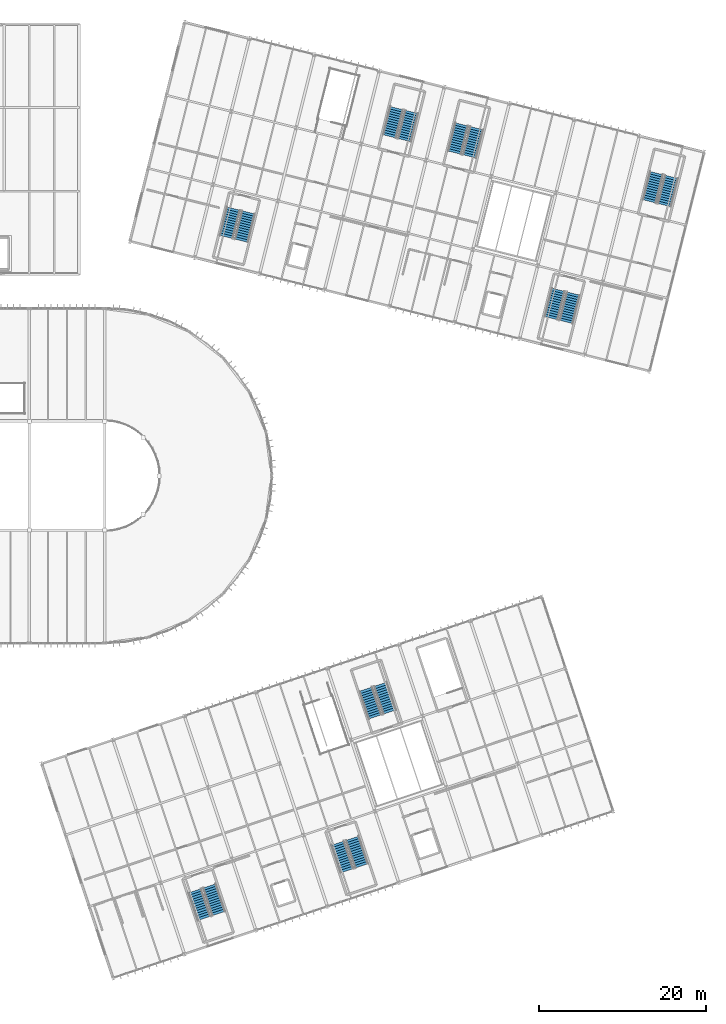
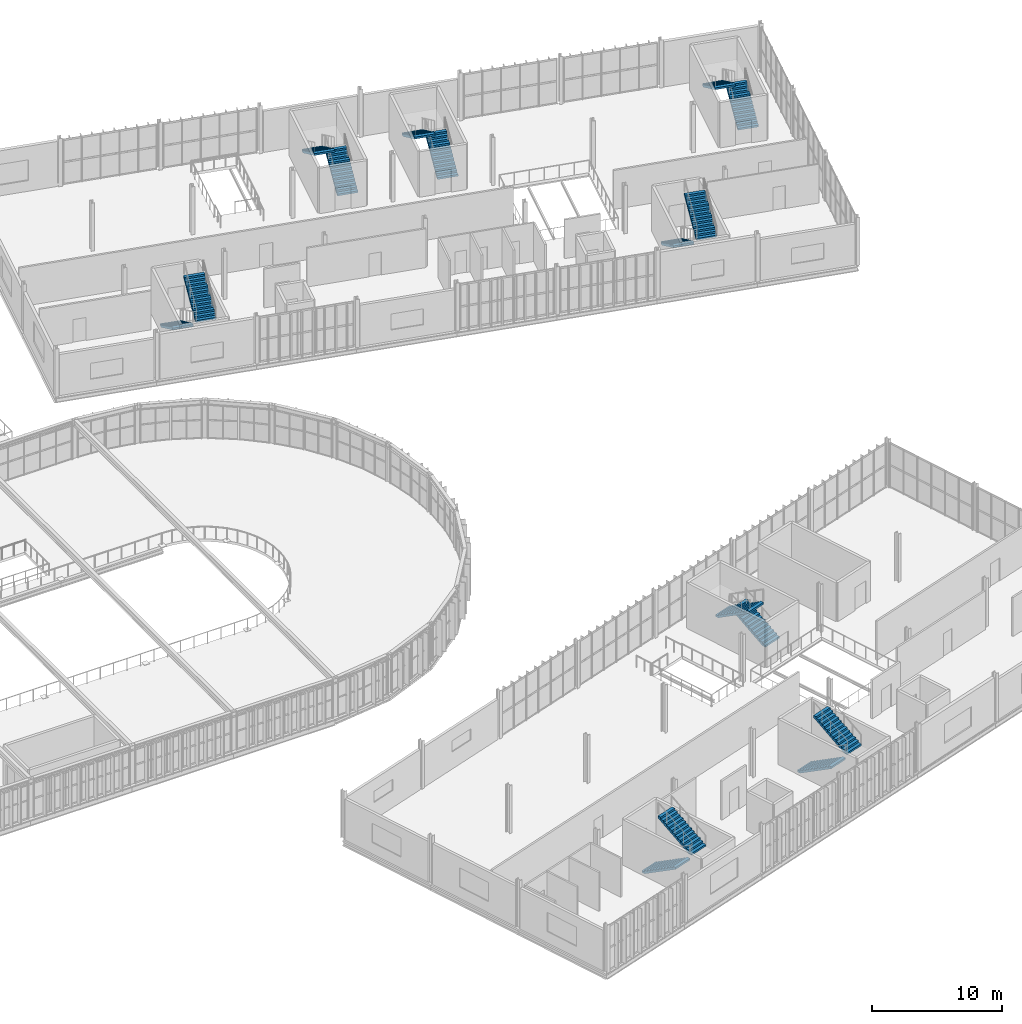
# One storey, part 126 of 152: 16 stair flights, 8 elements without a shape of their own.
"""IFC4 building model written with IfcOpenShell, lengths in metres."""

from ifc_helpers import new_model, si_unit, derived_unit, direction, frame, origin, place, context, subcontext, project, spatial, polyline, outline, extrude, material, type_object, element, aggregate, save


model = new_model("IFC4")

# Units and contexts
model_context = context("Model", 3, precision=1e-05, world=origin(), true_north=direction((0.0, 1.0)))
body_context = subcontext(model_context, "Body", "Model", "MODEL_VIEW")
ifc_project = project(units=[si_unit("LENGTHUNIT", "METRE"), si_unit("AREAUNIT", "SQUARE_METRE"), si_unit("VOLUMEUNIT", "CUBIC_METRE"), si_unit("PLANEANGLEUNIT", "RADIAN"), si_unit("MASSUNIT", "GRAM", prefix="KILO"), si_unit("THERMODYNAMICTEMPERATUREUNIT", "KELVIN"), si_unit("TIMEUNIT", "SECOND"), derived_unit("THERMALTRANSMITTANCEUNIT", [(si_unit("MASSUNIT", "GRAM", prefix="KILO"), 1), (si_unit("THERMODYNAMICTEMPERATUREUNIT", "KELVIN"), -1), (si_unit("TIMEUNIT", "SECOND"), -3)])], contexts=[model_context])

# Site, building, storey
site_placement = place(None, origin())
site = spatial("IfcSite", under=ifc_project, at=site_placement, CompositionType="ELEMENT")
building_placement = place(site_placement, origin())
building = spatial("IfcBuilding", under=site, at=building_placement, Name="Cambertide Market Hall", CompositionType="ELEMENT")
storey_placement = place(building_placement, frame((0.0, 0.0, 5.39990234375)))
storey = spatial("IfcBuildingStorey", under=building, at=storey_placement, Name="L02", CompositionType="ELEMENT", Elevation=5.39990234375)

# Stair, stair flights
ifc_material_1 = material(Name="Concrete B35", Category="concrete")
stair_type_1 = type_object("IfcStairType", Name="Concrete Dogleg Stair ST-05A", PredefinedType="HALF_TURN_STAIR", material=ifc_material_1)
stair_1_placement = place(storey_placement, origin())
stair_1 = element("IfcStair", 1, at=stair_1_placement, inside=storey, type_object=stair_type_1, Name="Level 2 Exit Stair Core 05A", PredefinedType="HALF_TURN_STAIR")
ifc_material_2 = material(Name="Concrete B35", Category="concrete")
stair_flight_type_1 = type_object("IfcStairFlightType", Name="Concrete Stair Flight ST-05A", PredefinedType="STRAIGHT", material=ifc_material_2)
stair_flight_1_placement = place(storey_placement, frame((115.779296875, 22.427490234375, 0.0), z_axis=(0.0, 0.0, 1.0), x_axis=(0.316227768949, -0.948683297073, 0.0)))
stair_flight_1 = element("IfcStairFlight", 2, at=stair_flight_1_placement, type_object=stair_flight_type_1, Name="ST-05A flight 1", NumberOfRisers=13, NumberOfTreads=12, PredefinedType="STRAIGHT", RiserHeight=0.173076923, TreadLength=0.29, context=body_context, shape_type="SweptSolid", body=[
    extrude(outline(polyline([(0.0, 0.0), (0.0, 0.173095703125), (0.2900390625, 0.173095703125), (0.2900390625, 0.34619140625), (0.580078125, 0.34619140625), (0.580078125, 0.519287109375), (0.8701171875, 0.519287109375), (0.8701171875, 0.6923828125), (1.159912109375, 0.6923828125), (1.159912109375, 0.865478515625), (1.449951171875, 0.865478515625), (1.449951171875, 1.03857421875), (1.739990234375, 1.03857421875), (1.739990234375, 1.21142578125), (2.030029296875, 1.21142578125), (2.030029296875, 1.384521484375), (2.320068359375, 1.384521484375), (2.320068359375, 1.5576171875), (2.610107421875, 1.5576171875), (2.610107421875, 1.730712890625), (2.89990234375, 1.730712890625), (2.89990234375, 1.90380859375), (3.18994140625, 1.90380859375), (3.18994140625, 2.076904296875), (3.47998046875, 2.076904296875), (3.47998046875, 2.25), (3.47998046875, 1.90234375), (0.29248046875, 0.0), (0.0, 0.0)])), frame((0.0, 0.824951171875, 0.0), z_axis=(0.0, -1.0, 0.0), x_axis=(1.0, 0.0, 0.0)), (0.0, 0.0, 1.0), 1.64990234375),
])
stair_flight_2_placement = place(storey_placement, frame((118.634765625, 19.711181640625, 2.25), z_axis=(0.0, 0.0, 1.0), x_axis=(-0.316227768949, 0.948683297073, 0.0)))
stair_flight_2 = element("IfcStairFlight", 3, at=stair_flight_2_placement, type_object=stair_flight_type_1, Name="ST-05A flight 2", NumberOfRisers=13, NumberOfTreads=12, PredefinedType="STRAIGHT", RiserHeight=0.173076923, TreadLength=0.29, context=body_context, shape_type="SweptSolid", body=[
    extrude(outline(polyline([(0.0, 0.0), (0.0, 0.173095703125), (0.2900390625, 0.173095703125), (0.2900390625, 0.34619140625), (0.580078125, 0.34619140625), (0.580078125, 0.519287109375), (0.8701171875, 0.519287109375), (0.8701171875, 0.6923828125), (1.159912109375, 0.6923828125), (1.159912109375, 0.865478515625), (1.449951171875, 0.865478515625), (1.449951171875, 1.03857421875), (1.739990234375, 1.03857421875), (1.739990234375, 1.21142578125), (2.030029296875, 1.21142578125), (2.030029296875, 1.384521484375), (2.320068359375, 1.384521484375), (2.320068359375, 1.5576171875), (2.610107421875, 1.5576171875), (2.610107421875, 1.730712890625), (2.89990234375, 1.730712890625), (2.89990234375, 1.90380859375), (3.18994140625, 1.90380859375), (3.18994140625, 2.076904296875), (3.47998046875, 2.076904296875), (3.47998046875, 2.25), (3.47998046875, 1.90234375), (0.29248046875, 0.0), (0.0, 0.0)])), frame((0.0, 0.824951171875, 0.0), z_axis=(0.0, -1.0, 0.0), x_axis=(1.0, 0.0, 0.0)), (0.0, 0.0, 1.0), 1.64990234375),
])
aggregate(stair_1, [stair_flight_1, stair_flight_2])

ifc_material_3 = material(Name="Concrete B35", Category="concrete")
stair_type_2 = type_object("IfcStairType", Name="Concrete Dogleg Stair ST-06A", PredefinedType="HALF_TURN_STAIR", material=ifc_material_3)
stair_2_placement = place(storey_placement, origin())
stair_2 = element("IfcStair", 4, at=stair_2_placement, inside=storey, type_object=stair_type_2, Name="Level 2 Exit Stair Core 06A", PredefinedType="HALF_TURN_STAIR")
ifc_material_4 = material(Name="Concrete B35", Category="concrete")
stair_flight_type_2 = type_object("IfcStairFlightType", Name="Concrete Stair Flight ST-06A", PredefinedType="STRAIGHT", material=ifc_material_4)
stair_flight_3_placement = place(storey_placement, frame((132.855712890625, 28.11962890625, 0.0), z_axis=(0.0, 0.0, 1.0), x_axis=(0.316227768949, -0.948683297073, 0.0)))
stair_flight_3 = element("IfcStairFlight", 5, at=stair_flight_3_placement, type_object=stair_flight_type_2, Name="ST-06A flight 1", NumberOfRisers=13, NumberOfTreads=12, PredefinedType="STRAIGHT", RiserHeight=0.173076923, TreadLength=0.29, context=body_context, shape_type="SweptSolid", body=[
    extrude(outline(polyline([(0.0, 0.0), (0.0, 0.173095703125), (0.2900390625, 0.173095703125), (0.2900390625, 0.34619140625), (0.580078125, 0.34619140625), (0.580078125, 0.519287109375), (0.8701171875, 0.519287109375), (0.8701171875, 0.6923828125), (1.159912109375, 0.6923828125), (1.159912109375, 0.865478515625), (1.449951171875, 0.865478515625), (1.449951171875, 1.03857421875), (1.739990234375, 1.03857421875), (1.739990234375, 1.21142578125), (2.030029296875, 1.21142578125), (2.030029296875, 1.384521484375), (2.320068359375, 1.384521484375), (2.320068359375, 1.5576171875), (2.610107421875, 1.5576171875), (2.610107421875, 1.730712890625), (2.89990234375, 1.730712890625), (2.89990234375, 1.90380859375), (3.18994140625, 1.90380859375), (3.18994140625, 2.076904296875), (3.47998046875, 2.076904296875), (3.47998046875, 2.25), (3.47998046875, 1.90234375), (0.29248046875, 0.0), (0.0, 0.0)])), frame((0.0, 0.824951171875, 0.0), z_axis=(0.0, -1.0, 0.0), x_axis=(1.0, 0.0, 0.0)), (0.0, 0.0, 1.0), 1.64990234375),
])
stair_flight_4_placement = place(storey_placement, frame((135.711181640625, 25.4033203125, 2.25), z_axis=(0.0, 0.0, 1.0), x_axis=(-0.316227768949, 0.948683297073, 0.0)))
stair_flight_4 = element("IfcStairFlight", 6, at=stair_flight_4_placement, type_object=stair_flight_type_2, Name="ST-06A flight 2", NumberOfRisers=13, NumberOfTreads=12, PredefinedType="STRAIGHT", RiserHeight=0.173076923, TreadLength=0.29, context=body_context, shape_type="SweptSolid", body=[
    extrude(outline(polyline([(0.0, 0.0), (0.0, 0.173095703125), (0.2900390625, 0.173095703125), (0.2900390625, 0.34619140625), (0.580078125, 0.34619140625), (0.580078125, 0.519287109375), (0.8701171875, 0.519287109375), (0.8701171875, 0.6923828125), (1.159912109375, 0.6923828125), (1.159912109375, 0.865478515625), (1.449951171875, 0.865478515625), (1.449951171875, 1.03857421875), (1.739990234375, 1.03857421875), (1.739990234375, 1.21142578125), (2.030029296875, 1.21142578125), (2.030029296875, 1.384521484375), (2.320068359375, 1.384521484375), (2.320068359375, 1.5576171875), (2.610107421875, 1.5576171875), (2.610107421875, 1.730712890625), (2.89990234375, 1.730712890625), (2.89990234375, 1.90380859375), (3.18994140625, 1.90380859375), (3.18994140625, 2.076904296875), (3.47998046875, 2.076904296875), (3.47998046875, 2.25), (3.47998046875, 1.90234375), (0.29248046875, 0.0), (0.0, 0.0)])), frame((0.0, 0.824951171875, 0.0), z_axis=(0.0, -1.0, 0.0), x_axis=(1.0, 0.0, 0.0)), (0.0, 0.0, 1.0), 1.64990234375),
])
aggregate(stair_2, [stair_flight_3, stair_flight_4])

ifc_material_5 = material(Name="Concrete B35", Category="concrete")
stair_type_3 = type_object("IfcStairType", Name="Concrete Dogleg Stair ST-06B", PredefinedType="HALF_TURN_STAIR", material=ifc_material_5)
stair_3_placement = place(storey_placement, origin())
stair_3 = element("IfcStair", 7, at=stair_3_placement, inside=storey, type_object=stair_type_3, Name="Level 2 Exit Stair Core 06B", PredefinedType="HALF_TURN_STAIR")
ifc_material_6 = material(Name="Concrete B35", Category="concrete")
stair_flight_type_3 = type_object("IfcStairFlightType", Name="Concrete Stair Flight ST-06B", PredefinedType="STRAIGHT", material=ifc_material_6)
stair_flight_5_placement = place(storey_placement, frame((139.069580078125, 43.788818359375, 0.0), z_axis=(0.0, 0.0, 1.0), x_axis=(-0.316227768949, 0.948683297073, 0.0)))
stair_flight_5 = element("IfcStairFlight", 8, at=stair_flight_5_placement, type_object=stair_flight_type_3, Name="ST-06B flight 1", NumberOfRisers=13, NumberOfTreads=12, PredefinedType="STRAIGHT", RiserHeight=0.173076923, TreadLength=0.29, context=body_context, shape_type="SweptSolid", body=[
    extrude(outline(polyline([(0.0, 0.0), (0.0, 0.173095703125), (0.2900390625, 0.173095703125), (0.2900390625, 0.34619140625), (0.580078125, 0.34619140625), (0.580078125, 0.519287109375), (0.8701171875, 0.519287109375), (0.8701171875, 0.6923828125), (1.159912109375, 0.6923828125), (1.159912109375, 0.865478515625), (1.449951171875, 0.865478515625), (1.449951171875, 1.03857421875), (1.739990234375, 1.03857421875), (1.739990234375, 1.21142578125), (2.030029296875, 1.21142578125), (2.030029296875, 1.384521484375), (2.320068359375, 1.384521484375), (2.320068359375, 1.5576171875), (2.610107421875, 1.5576171875), (2.610107421875, 1.730712890625), (2.89990234375, 1.730712890625), (2.89990234375, 1.90380859375), (3.18994140625, 1.90380859375), (3.18994140625, 2.076904296875), (3.47998046875, 2.076904296875), (3.47998046875, 2.25), (3.47998046875, 1.90234375), (0.29248046875, 0.0), (0.0, 0.0)])), frame((0.0, 0.824951171875, 0.0), z_axis=(0.0, -1.0, 0.0), x_axis=(1.0, 0.0, 0.0)), (0.0, 0.0, 1.0), 1.64990234375),
])
stair_flight_6_placement = place(storey_placement, frame((136.2138671875, 46.505126953125, 2.25), z_axis=(0.0, 0.0, 1.0), x_axis=(0.316227768949, -0.948683297073, 0.0)))
stair_flight_6 = element("IfcStairFlight", 9, at=stair_flight_6_placement, type_object=stair_flight_type_3, Name="ST-06B flight 2", NumberOfRisers=13, NumberOfTreads=12, PredefinedType="STRAIGHT", RiserHeight=0.173076923, TreadLength=0.29, context=body_context, shape_type="SweptSolid", body=[
    extrude(outline(polyline([(0.0, 0.0), (0.0, 0.173095703125), (0.2900390625, 0.173095703125), (0.2900390625, 0.34619140625), (0.580078125, 0.34619140625), (0.580078125, 0.519287109375), (0.8701171875, 0.519287109375), (0.8701171875, 0.6923828125), (1.159912109375, 0.6923828125), (1.159912109375, 0.865478515625), (1.449951171875, 0.865478515625), (1.449951171875, 1.03857421875), (1.739990234375, 1.03857421875), (1.739990234375, 1.21142578125), (2.030029296875, 1.21142578125), (2.030029296875, 1.384521484375), (2.320068359375, 1.384521484375), (2.320068359375, 1.5576171875), (2.610107421875, 1.5576171875), (2.610107421875, 1.730712890625), (2.89990234375, 1.730712890625), (2.89990234375, 1.90380859375), (3.18994140625, 1.90380859375), (3.18994140625, 2.076904296875), (3.47998046875, 2.076904296875), (3.47998046875, 2.25), (3.47998046875, 1.90234375), (0.29248046875, 0.0), (0.0, 0.0)])), frame((0.0, 0.824951171875, 0.0), z_axis=(0.0, -1.0, 0.0), x_axis=(1.0, 0.0, 0.0)), (0.0, 0.0, 1.0), 1.64990234375),
])
aggregate(stair_3, [stair_flight_5, stair_flight_6])

ifc_material_7 = material(Name="Concrete B35", Category="concrete")
stair_type_4 = type_object("IfcStairType", Name="Concrete Dogleg Stair ST-07A", PredefinedType="HALF_TURN_STAIR", material=ifc_material_7)
stair_4_placement = place(storey_placement, origin())
stair_4 = element("IfcStair", 10, at=stair_4_placement, inside=storey, type_object=stair_type_4, Name="Level 2 Exit Stair Core 07A", PredefinedType="HALF_TURN_STAIR")
ifc_material_8 = material(Name="Concrete B35", Category="concrete")
stair_flight_type_4 = type_object("IfcStairFlightType", Name="Concrete Stair Flight ST-07A", PredefinedType="STRAIGHT", material=ifc_material_8)
stair_flight_7_placement = place(storey_placement, frame((120.3935546875, 103.910888671875, 0.0), z_axis=(0.0, 0.0, 1.0), x_axis=(-0.242535617113, -0.970142502126, 0.0)))
stair_flight_7 = element("IfcStairFlight", 11, at=stair_flight_7_placement, type_object=stair_flight_type_4, Name="ST-07A flight 1", NumberOfRisers=13, NumberOfTreads=12, PredefinedType="STRAIGHT", RiserHeight=0.173076923, TreadLength=0.29, context=body_context, shape_type="SweptSolid", body=[
    extrude(outline(polyline([(0.0, 0.0), (0.0, 0.173095703125), (0.2900390625, 0.173095703125), (0.2900390625, 0.34619140625), (0.580078125, 0.34619140625), (0.580078125, 0.519287109375), (0.8701171875, 0.519287109375), (0.8701171875, 0.6923828125), (1.159912109375, 0.6923828125), (1.159912109375, 0.865478515625), (1.449951171875, 0.865478515625), (1.449951171875, 1.03857421875), (1.739990234375, 1.03857421875), (1.739990234375, 1.21142578125), (2.030029296875, 1.21142578125), (2.030029296875, 1.384521484375), (2.320068359375, 1.384521484375), (2.320068359375, 1.5576171875), (2.610107421875, 1.5576171875), (2.610107421875, 1.730712890625), (2.89990234375, 1.730712890625), (2.89990234375, 1.90380859375), (3.18994140625, 1.90380859375), (3.18994140625, 2.076904296875), (3.47998046875, 2.076904296875), (3.47998046875, 2.25), (3.47998046875, 1.90234375), (0.29248046875, 0.0), (0.0, 0.0)])), frame((0.0, 0.824951171875, 0.0), z_axis=(0.0, -1.0, 0.0), x_axis=(1.0, 0.0, 0.0)), (0.0, 0.0, 1.0), 1.64990234375),
])
stair_flight_8_placement = place(storey_placement, frame((121.34423828125, 100.086181640625, 2.25), z_axis=(0.0, 0.0, 1.0), x_axis=(0.242535617113, 0.970142502126, 0.0)))
stair_flight_8 = element("IfcStairFlight", 12, at=stair_flight_8_placement, type_object=stair_flight_type_4, Name="ST-07A flight 2", NumberOfRisers=13, NumberOfTreads=12, PredefinedType="STRAIGHT", RiserHeight=0.173076923, TreadLength=0.29, context=body_context, shape_type="SweptSolid", body=[
    extrude(outline(polyline([(0.0, 0.0), (0.0, 0.173095703125), (0.2900390625, 0.173095703125), (0.2900390625, 0.34619140625), (0.580078125, 0.34619140625), (0.580078125, 0.519287109375), (0.8701171875, 0.519287109375), (0.8701171875, 0.6923828125), (1.159912109375, 0.6923828125), (1.159912109375, 0.865478515625), (1.449951171875, 0.865478515625), (1.449951171875, 1.03857421875), (1.739990234375, 1.03857421875), (1.739990234375, 1.21142578125), (2.030029296875, 1.21142578125), (2.030029296875, 1.384521484375), (2.320068359375, 1.384521484375), (2.320068359375, 1.5576171875), (2.610107421875, 1.5576171875), (2.610107421875, 1.730712890625), (2.89990234375, 1.730712890625), (2.89990234375, 1.90380859375), (3.18994140625, 1.90380859375), (3.18994140625, 2.076904296875), (3.47998046875, 2.076904296875), (3.47998046875, 2.25), (3.47998046875, 1.90234375), (0.29248046875, 0.0), (0.0, 0.0)])), frame((0.0, 0.824951171875, 0.0), z_axis=(0.0, -1.0, 0.0), x_axis=(1.0, 0.0, 0.0)), (0.0, 0.0, 1.0), 1.64990234375),
])
aggregate(stair_4, [stair_flight_7, stair_flight_8])

ifc_material_9 = material(Name="Concrete B35", Category="concrete")
stair_type_5 = type_object("IfcStairType", Name="Concrete Dogleg Stair ST-07B", PredefinedType="HALF_TURN_STAIR", material=ifc_material_9)
stair_5_placement = place(storey_placement, origin())
stair_5 = element("IfcStair", 13, at=stair_5_placement, inside=storey, type_object=stair_type_5, Name="Level 2 Exit Stair Core 07B", PredefinedType="HALF_TURN_STAIR")
ifc_material_10 = material(Name="Concrete B35", Category="concrete")
stair_flight_type_5 = type_object("IfcStairFlightType", Name="Concrete Stair Flight ST-07B", PredefinedType="STRAIGHT", material=ifc_material_10)
stair_flight_9_placement = place(storey_placement, frame((140.83935546875, 112.096435546875, 0.0), z_axis=(0.0, 0.0, 1.0), x_axis=(0.242535617113, 0.970142502126, 0.0)))
stair_flight_9 = element("IfcStairFlight", 14, at=stair_flight_9_placement, type_object=stair_flight_type_5, Name="ST-07B flight 1", NumberOfRisers=13, NumberOfTreads=12, PredefinedType="STRAIGHT", RiserHeight=0.173076923, TreadLength=0.29, context=body_context, shape_type="SweptSolid", body=[
    extrude(outline(polyline([(0.0, 0.0), (0.0, 0.173095703125), (0.2900390625, 0.173095703125), (0.2900390625, 0.34619140625), (0.580078125, 0.34619140625), (0.580078125, 0.519287109375), (0.8701171875, 0.519287109375), (0.8701171875, 0.6923828125), (1.159912109375, 0.6923828125), (1.159912109375, 0.865478515625), (1.449951171875, 0.865478515625), (1.449951171875, 1.03857421875), (1.739990234375, 1.03857421875), (1.739990234375, 1.21142578125), (2.030029296875, 1.21142578125), (2.030029296875, 1.384521484375), (2.320068359375, 1.384521484375), (2.320068359375, 1.5576171875), (2.610107421875, 1.5576171875), (2.610107421875, 1.730712890625), (2.89990234375, 1.730712890625), (2.89990234375, 1.90380859375), (3.18994140625, 1.90380859375), (3.18994140625, 2.076904296875), (3.47998046875, 2.076904296875), (3.47998046875, 2.25), (3.47998046875, 1.90234375), (0.29248046875, 0.0), (0.0, 0.0)])), frame((0.0, 0.824951171875, 0.0), z_axis=(0.0, -1.0, 0.0), x_axis=(1.0, 0.0, 0.0)), (0.0, 0.0, 1.0), 1.64990234375),
])
stair_flight_10_placement = place(storey_placement, frame((139.888671875, 115.921142578125, 2.25), z_axis=(0.0, 0.0, 1.0), x_axis=(-0.242535617113, -0.970142502126, 0.0)))
stair_flight_10 = element("IfcStairFlight", 15, at=stair_flight_10_placement, type_object=stair_flight_type_5, Name="ST-07B flight 2", NumberOfRisers=13, NumberOfTreads=12, PredefinedType="STRAIGHT", RiserHeight=0.173076923, TreadLength=0.29, context=body_context, shape_type="SweptSolid", body=[
    extrude(outline(polyline([(0.0, 0.0), (0.0, 0.173095703125), (0.2900390625, 0.173095703125), (0.2900390625, 0.34619140625), (0.580078125, 0.34619140625), (0.580078125, 0.519287109375), (0.8701171875, 0.519287109375), (0.8701171875, 0.6923828125), (1.159912109375, 0.6923828125), (1.159912109375, 0.865478515625), (1.449951171875, 0.865478515625), (1.449951171875, 1.03857421875), (1.739990234375, 1.03857421875), (1.739990234375, 1.21142578125), (2.030029296875, 1.21142578125), (2.030029296875, 1.384521484375), (2.320068359375, 1.384521484375), (2.320068359375, 1.5576171875), (2.610107421875, 1.5576171875), (2.610107421875, 1.730712890625), (2.89990234375, 1.730712890625), (2.89990234375, 1.90380859375), (3.18994140625, 1.90380859375), (3.18994140625, 2.076904296875), (3.47998046875, 2.076904296875), (3.47998046875, 2.25), (3.47998046875, 1.90234375), (0.29248046875, 0.0), (0.0, 0.0)])), frame((0.0, 0.824951171875, 0.0), z_axis=(0.0, -1.0, 0.0), x_axis=(1.0, 0.0, 0.0)), (0.0, 0.0, 1.0), 1.64990234375),
])
aggregate(stair_5, [stair_flight_9, stair_flight_10])

ifc_material_11 = material(Name="Concrete B35", Category="concrete")
stair_type_6 = type_object("IfcStairType", Name="Concrete Dogleg Stair ST-08A", PredefinedType="HALF_TURN_STAIR", material=ifc_material_11)
stair_6_placement = place(storey_placement, origin())
stair_6 = element("IfcStair", 16, at=stair_6_placement, inside=storey, type_object=stair_type_6, Name="Level 2 Exit Stair Core 08A", PredefinedType="HALF_TURN_STAIR")
ifc_material_12 = material(Name="Concrete B35", Category="concrete")
stair_flight_type_6 = type_object("IfcStairFlightType", Name="Concrete Stair Flight ST-08A", PredefinedType="STRAIGHT", material=ifc_material_12)
stair_flight_11_placement = place(storey_placement, frame((159.19921875, 94.20947265625, 0.0), z_axis=(0.0, 0.0, 1.0), x_axis=(-0.242535617113, -0.970142502126, 0.0)))
stair_flight_11 = element("IfcStairFlight", 17, at=stair_flight_11_placement, type_object=stair_flight_type_6, Name="ST-08A flight 1", NumberOfRisers=13, NumberOfTreads=12, PredefinedType="STRAIGHT", RiserHeight=0.173076923, TreadLength=0.29, context=body_context, shape_type="SweptSolid", body=[
    extrude(outline(polyline([(0.0, 0.0), (0.0, 0.173095703125), (0.2900390625, 0.173095703125), (0.2900390625, 0.34619140625), (0.580078125, 0.34619140625), (0.580078125, 0.519287109375), (0.8701171875, 0.519287109375), (0.8701171875, 0.6923828125), (1.159912109375, 0.6923828125), (1.159912109375, 0.865478515625), (1.449951171875, 0.865478515625), (1.449951171875, 1.03857421875), (1.739990234375, 1.03857421875), (1.739990234375, 1.21142578125), (2.030029296875, 1.21142578125), (2.030029296875, 1.384521484375), (2.320068359375, 1.384521484375), (2.320068359375, 1.5576171875), (2.610107421875, 1.5576171875), (2.610107421875, 1.730712890625), (2.89990234375, 1.730712890625), (2.89990234375, 1.90380859375), (3.18994140625, 1.90380859375), (3.18994140625, 2.076904296875), (3.47998046875, 2.076904296875), (3.47998046875, 2.25), (3.47998046875, 1.90234375), (0.29248046875, 0.0), (0.0, 0.0)])), frame((0.0, 0.824951171875, 0.0), z_axis=(0.0, -1.0, 0.0), x_axis=(1.0, 0.0, 0.0)), (0.0, 0.0, 1.0), 1.64990234375),
])
stair_flight_12_placement = place(storey_placement, frame((160.14990234375, 90.384765625, 2.25), z_axis=(0.0, 0.0, 1.0), x_axis=(0.242535617113, 0.970142502126, 0.0)))
stair_flight_12 = element("IfcStairFlight", 18, at=stair_flight_12_placement, type_object=stair_flight_type_6, Name="ST-08A flight 2", NumberOfRisers=13, NumberOfTreads=12, PredefinedType="STRAIGHT", RiserHeight=0.173076923, TreadLength=0.29, context=body_context, shape_type="SweptSolid", body=[
    extrude(outline(polyline([(0.0, 0.0), (0.0, 0.173095703125), (0.2900390625, 0.173095703125), (0.2900390625, 0.34619140625), (0.580078125, 0.34619140625), (0.580078125, 0.519287109375), (0.8701171875, 0.519287109375), (0.8701171875, 0.6923828125), (1.159912109375, 0.6923828125), (1.159912109375, 0.865478515625), (1.449951171875, 0.865478515625), (1.449951171875, 1.03857421875), (1.739990234375, 1.03857421875), (1.739990234375, 1.21142578125), (2.030029296875, 1.21142578125), (2.030029296875, 1.384521484375), (2.320068359375, 1.384521484375), (2.320068359375, 1.5576171875), (2.610107421875, 1.5576171875), (2.610107421875, 1.730712890625), (2.89990234375, 1.730712890625), (2.89990234375, 1.90380859375), (3.18994140625, 1.90380859375), (3.18994140625, 2.076904296875), (3.47998046875, 2.076904296875), (3.47998046875, 2.25), (3.47998046875, 1.90234375), (0.29248046875, 0.0), (0.0, 0.0)])), frame((0.0, 0.824951171875, 0.0), z_axis=(0.0, -1.0, 0.0), x_axis=(1.0, 0.0, 0.0)), (0.0, 0.0, 1.0), 1.64990234375),
])
aggregate(stair_6, [stair_flight_11, stair_flight_12])

ifc_material_13 = material(Name="Concrete B35", Category="concrete")
stair_type_7 = type_object("IfcStairType", Name="Concrete Dogleg Stair ST-08B", PredefinedType="HALF_TURN_STAIR", material=ifc_material_13)
stair_7_placement = place(storey_placement, origin())
stair_7 = element("IfcStair", 19, at=stair_7_placement, inside=storey, type_object=stair_type_7, Name="Level 2 Exit Stair Core 08B", PredefinedType="HALF_TURN_STAIR")
ifc_material_14 = material(Name="Concrete B35", Category="concrete")
stair_flight_type_7 = type_object("IfcStairFlightType", Name="Concrete Stair Flight ST-08B", PredefinedType="STRAIGHT", material=ifc_material_14)
stair_flight_13_placement = place(storey_placement, frame((171.8837890625, 104.335205078125, 0.0), z_axis=(0.0, 0.0, 1.0), x_axis=(0.242535617113, 0.970142502126, 0.0)))
stair_flight_13 = element("IfcStairFlight", 20, at=stair_flight_13_placement, type_object=stair_flight_type_7, Name="ST-08B flight 1", NumberOfRisers=13, NumberOfTreads=12, PredefinedType="STRAIGHT", RiserHeight=0.173076923, TreadLength=0.29, context=body_context, shape_type="SweptSolid", body=[
    extrude(outline(polyline([(0.0, 0.0), (0.0, 0.173095703125), (0.2900390625, 0.173095703125), (0.2900390625, 0.34619140625), (0.580078125, 0.34619140625), (0.580078125, 0.519287109375), (0.8701171875, 0.519287109375), (0.8701171875, 0.6923828125), (1.159912109375, 0.6923828125), (1.159912109375, 0.865478515625), (1.449951171875, 0.865478515625), (1.449951171875, 1.03857421875), (1.739990234375, 1.03857421875), (1.739990234375, 1.21142578125), (2.030029296875, 1.21142578125), (2.030029296875, 1.384521484375), (2.320068359375, 1.384521484375), (2.320068359375, 1.5576171875), (2.610107421875, 1.5576171875), (2.610107421875, 1.730712890625), (2.89990234375, 1.730712890625), (2.89990234375, 1.90380859375), (3.18994140625, 1.90380859375), (3.18994140625, 2.076904296875), (3.47998046875, 2.076904296875), (3.47998046875, 2.25), (3.47998046875, 1.90234375), (0.29248046875, 0.0), (0.0, 0.0)])), frame((0.0, 0.824951171875, 0.0), z_axis=(0.0, -1.0, 0.0), x_axis=(1.0, 0.0, 0.0)), (0.0, 0.0, 1.0), 1.64990234375),
])
stair_flight_14_placement = place(storey_placement, frame((170.93310546875, 108.16015625, 2.25), z_axis=(0.0, 0.0, 1.0), x_axis=(-0.242535617113, -0.970142502126, 0.0)))
stair_flight_14 = element("IfcStairFlight", 21, at=stair_flight_14_placement, type_object=stair_flight_type_7, Name="ST-08B flight 2", NumberOfRisers=13, NumberOfTreads=12, PredefinedType="STRAIGHT", RiserHeight=0.173076923, TreadLength=0.29, context=body_context, shape_type="SweptSolid", body=[
    extrude(outline(polyline([(0.0, 0.0), (0.0, 0.173095703125), (0.2900390625, 0.173095703125), (0.2900390625, 0.34619140625), (0.580078125, 0.34619140625), (0.580078125, 0.519287109375), (0.8701171875, 0.519287109375), (0.8701171875, 0.6923828125), (1.159912109375, 0.6923828125), (1.159912109375, 0.865478515625), (1.449951171875, 0.865478515625), (1.449951171875, 1.03857421875), (1.739990234375, 1.03857421875), (1.739990234375, 1.21142578125), (2.030029296875, 1.21142578125), (2.030029296875, 1.384521484375), (2.320068359375, 1.384521484375), (2.320068359375, 1.5576171875), (2.610107421875, 1.5576171875), (2.610107421875, 1.730712890625), (2.89990234375, 1.730712890625), (2.89990234375, 1.90380859375), (3.18994140625, 1.90380859375), (3.18994140625, 2.076904296875), (3.47998046875, 2.076904296875), (3.47998046875, 2.25), (3.47998046875, 1.90234375), (0.29248046875, 0.0), (0.0, 0.0)])), frame((0.0, 0.824951171875, 0.0), z_axis=(0.0, -1.0, 0.0), x_axis=(1.0, 0.0, 0.0)), (0.0, 0.0, 1.0), 1.64990234375),
])
aggregate(stair_7, [stair_flight_13, stair_flight_14])

ifc_material_15 = material(Name="Concrete B35", Category="concrete")
stair_type_8 = type_object("IfcStairType", Name="Concrete Dogleg Stair ST-09", PredefinedType="HALF_TURN_STAIR", material=ifc_material_15)
stair_8_placement = place(storey_placement, origin())
stair_8 = element("IfcStair", 22, at=stair_8_placement, inside=storey, type_object=stair_type_8, Name="Level 2 Exit Stair Core 09", PredefinedType="HALF_TURN_STAIR")
ifc_material_16 = material(Name="Concrete B35", Category="concrete")
stair_flight_type_8 = type_object("IfcStairFlightType", Name="Concrete Stair Flight ST-09", PredefinedType="STRAIGHT", material=ifc_material_16)
stair_flight_15_placement = place(storey_placement, frame((148.600341796875, 110.15625, 0.0), z_axis=(0.0, 0.0, 1.0), x_axis=(0.242535617113, 0.970142502126, 0.0)))
stair_flight_15 = element("IfcStairFlight", 23, at=stair_flight_15_placement, type_object=stair_flight_type_8, Name="ST-09 flight 1", NumberOfRisers=13, NumberOfTreads=12, PredefinedType="STRAIGHT", RiserHeight=0.173076923, TreadLength=0.29, context=body_context, shape_type="SweptSolid", body=[
    extrude(outline(polyline([(0.0, 0.0), (0.0, 0.173095703125), (0.2900390625, 0.173095703125), (0.2900390625, 0.34619140625), (0.580078125, 0.34619140625), (0.580078125, 0.519287109375), (0.8701171875, 0.519287109375), (0.8701171875, 0.6923828125), (1.159912109375, 0.6923828125), (1.159912109375, 0.865478515625), (1.449951171875, 0.865478515625), (1.449951171875, 1.03857421875), (1.739990234375, 1.03857421875), (1.739990234375, 1.21142578125), (2.030029296875, 1.21142578125), (2.030029296875, 1.384521484375), (2.320068359375, 1.384521484375), (2.320068359375, 1.5576171875), (2.610107421875, 1.5576171875), (2.610107421875, 1.730712890625), (2.89990234375, 1.730712890625), (2.89990234375, 1.90380859375), (3.18994140625, 1.90380859375), (3.18994140625, 2.076904296875), (3.47998046875, 2.076904296875), (3.47998046875, 2.25), (3.47998046875, 1.90234375), (0.29248046875, 0.0), (0.0, 0.0)])), frame((0.0, 0.824951171875, 0.0), z_axis=(0.0, -1.0, 0.0), x_axis=(1.0, 0.0, 0.0)), (0.0, 0.0, 1.0), 1.64990234375),
])
stair_flight_16_placement = place(storey_placement, frame((147.649658203125, 113.98095703125, 2.25), z_axis=(0.0, 0.0, 1.0), x_axis=(-0.242535617113, -0.970142502126, 0.0)))
stair_flight_16 = element("IfcStairFlight", 24, at=stair_flight_16_placement, type_object=stair_flight_type_8, Name="ST-09 flight 2", NumberOfRisers=13, NumberOfTreads=12, PredefinedType="STRAIGHT", RiserHeight=0.173076923, TreadLength=0.29, context=body_context, shape_type="SweptSolid", body=[
    extrude(outline(polyline([(0.0, 0.0), (0.0, 0.173095703125), (0.2900390625, 0.173095703125), (0.2900390625, 0.34619140625), (0.580078125, 0.34619140625), (0.580078125, 0.519287109375), (0.8701171875, 0.519287109375), (0.8701171875, 0.6923828125), (1.159912109375, 0.6923828125), (1.159912109375, 0.865478515625), (1.449951171875, 0.865478515625), (1.449951171875, 1.03857421875), (1.739990234375, 1.03857421875), (1.739990234375, 1.21142578125), (2.030029296875, 1.21142578125), (2.030029296875, 1.384521484375), (2.320068359375, 1.384521484375), (2.320068359375, 1.5576171875), (2.610107421875, 1.5576171875), (2.610107421875, 1.730712890625), (2.89990234375, 1.730712890625), (2.89990234375, 1.90380859375), (3.18994140625, 1.90380859375), (3.18994140625, 2.076904296875), (3.47998046875, 2.076904296875), (3.47998046875, 2.25), (3.47998046875, 1.90234375), (0.29248046875, 0.0), (0.0, 0.0)])), frame((0.0, 0.824951171875, 0.0), z_axis=(0.0, -1.0, 0.0), x_axis=(1.0, 0.0, 0.0)), (0.0, 0.0, 1.0), 1.64990234375),
])
aggregate(stair_8, [stair_flight_15, stair_flight_16])

save(model, "model.ifc")
